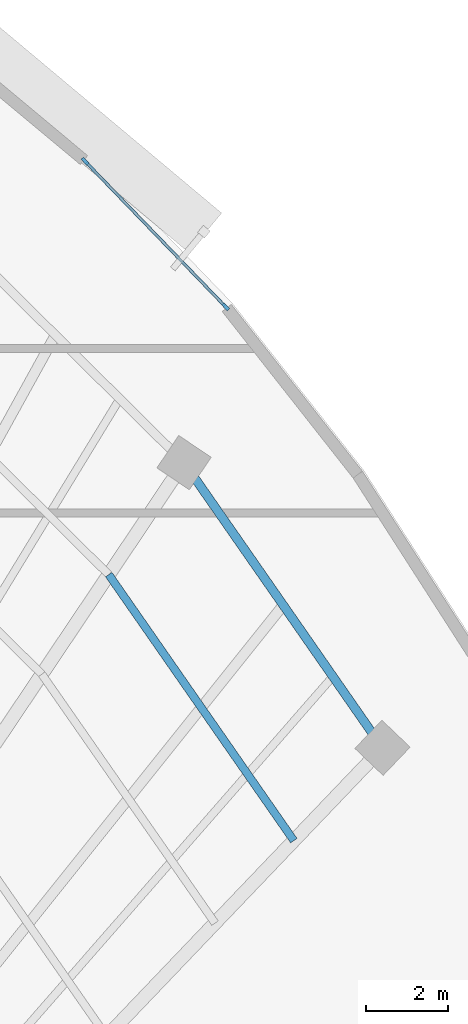
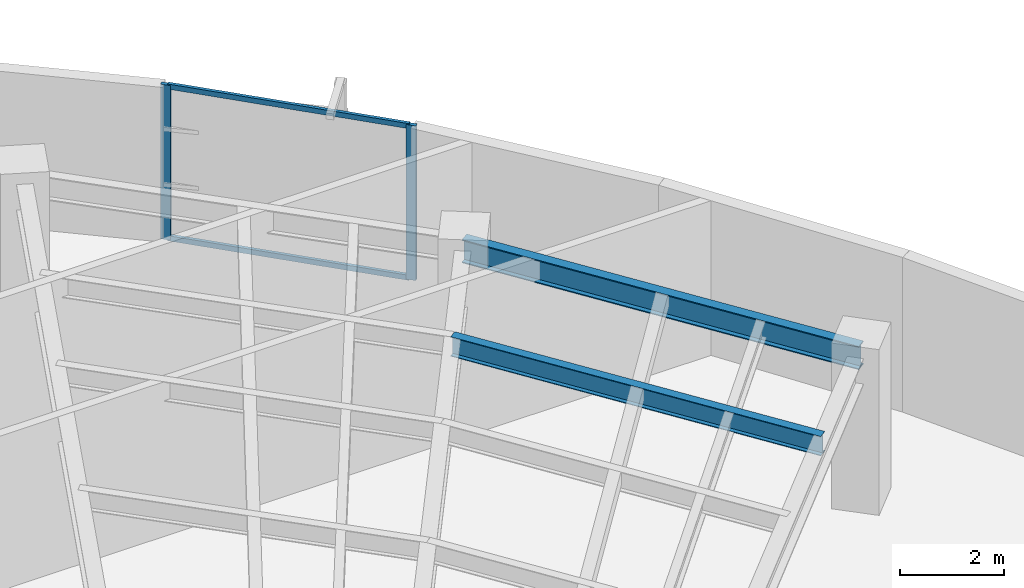
# One storey, part 6 of 14: 4 members, 2 beams, 1 element without a shape of its own.
"""IFC4 building model written with IfcOpenShell, lengths in metres."""

from ifc_helpers import new_model, si_unit, direction, frame, origin, origin_2d, place, context, subcontext, project, spatial, rectangle, i_section, extrude, source, transform, mapped, material, layer, layer_set, material_profile, profile_set, type_object, element, aggregate, save


model = new_model("IFC4")

# Units and contexts
model_context = context("Model", 3, precision=1e-05, world=origin(), true_north=direction((0.0, 1.0)))
body_context = subcontext(model_context, "Body", "Model", "MODEL_VIEW")
ifc_project = project(units=[si_unit("LENGTHUNIT", "METRE"), si_unit("AREAUNIT", "SQUARE_METRE"), si_unit("VOLUMEUNIT", "CUBIC_METRE"), si_unit("PLANEANGLEUNIT", "RADIAN"), si_unit("MASSUNIT", "GRAM", prefix="KILO")], contexts=[model_context])

# Site, building, storey
site_placement = place(None, origin())
site = spatial("IfcSite", under=ifc_project, at=site_placement, CompositionType="ELEMENT")
building_placement = place(site_placement, origin())
building = spatial("IfcBuilding", under=site, at=building_placement, Name="Breltana Convention Tower", CompositionType="ELEMENT")
storey_placement = place(building_placement, frame((0.0, 0.0, 219.60009765625)))
storey = spatial("IfcBuildingStorey", under=building, at=storey_placement, Name="L53", CompositionType="ELEMENT", Elevation=219.60009765625)

# Beams
ifc_material_1 = material(Name="Steel ASTM A992 Grade 50", Category="steel")
ifc_material_profile_1 = material_profile(ifc_material_1, i_section(OverallWidth=0.19091796875, OverallDepth=0.4599609375, WebThickness=0.010009765625, FlangeThickness=0.01611328125, at=origin_2d()), Name="W18X55")
ifc_profile_set_1 = profile_set([ifc_material_profile_1], Name="Steel ASTM A992 Grade 50")
beam_type_1 = type_object("IfcBeamType", Name="BM-JSG-07", PredefinedType="JOIST", material=ifc_profile_set_1)
shared_shape_1 = source(origin(), body_context, "Body", "SweptSolid", [
    extrude(i_section(OverallWidth=0.19091796875, OverallDepth=0.4599609375, WebThickness=0.010009765625, FlangeThickness=0.01611328125, at=origin_2d()), origin(), (0.0, 0.0, 1.0), 7.88037109375),
])
beam_1_placement = place(storey_placement, frame((73.3359375, 59.70556640625, 3.409912109375), z_axis=(0.571197916304, -0.820812366141, 0.0), x_axis=(0.820812366141, 0.571197916304, 0.0)))
element("IfcBeam", 1, at=beam_1_placement, inside=storey, type_object=beam_type_1, Name="L53 Composite Floor Joist 10.4", PredefinedType="JOIST", context=body_context, shape_type="MappedRepresentation", body=[
    mapped(shared_shape_1, transform((0.0, 0.0, 0.0), scale=1.0)),
])
ifc_material_profile_2 = material_profile(ifc_material_1, i_section(OverallWidth=0.214111328125, OverallDepth=0.549072265625, WebThickness=0.0146484375, FlangeThickness=0.023681640625, at=origin_2d()), Name="W21X93")
ifc_profile_set_2 = profile_set([ifc_material_profile_2], Name="Steel ASTM A992 Grade 50")
beam_type_2 = type_object("IfcBeamType", Name="BM-SP-W21X93", PredefinedType="SPANDREL", material=ifc_profile_set_2)
shared_shape_2 = source(origin(), body_context, "Body", "SweptSolid", [
    extrude(i_section(OverallWidth=0.214111328125, OverallDepth=0.549072265625, WebThickness=0.0146484375, FlangeThickness=0.023681640625, at=origin_2d()), origin(), (0.0, 0.0, 1.0), 8.44970703125),
])
beam_2_placement = place(storey_placement, frame((75.166748046875, 62.43017578125, 3.365478515625), z_axis=(0.5711855381, -0.820820979913, 0.0), x_axis=(0.820820979913, 0.5711855381, 0.0)))
element("IfcBeam", 2, at=beam_2_placement, inside=storey, type_object=beam_type_2, Name="L53 Outer Spandrel Beam 10", PredefinedType="SPANDREL", context=body_context, shape_type="MappedRepresentation", body=[
    mapped(shared_shape_2, transform((0.0, 0.0, 0.0), scale=1.0)),
])

# Curtain wall, members
ifc_material_2 = material(Name="Aluminium Anodised Bronze Frame", Category="aluminium")
ifc_layer = layer(ifc_material_2, 0.219970703125, Name="Aluminium Anodised Bronze Frame")
ifc_layer_set = layer_set([ifc_layer], Name="Aluminium Anodised Bronze Frame")
curtain_wall_type = type_object("IfcCurtainWallType", Name="CW-SYS-4", PredefinedType="NOTDEFINED", material=ifc_layer_set)
curtain_wall_placement = place(storey_placement, origin())
curtain_wall = element("IfcCurtainWall", 3, at=curtain_wall_placement, inside=storey, type_object=curtain_wall_type, Name="L53 outer double-skin inner glazing 4", PredefinedType="NOTDEFINED")
ifc_material_3 = material(Name="Aluminium Anodised Bronze", Category="aluminium")
ifc_material_profile_3 = material_profile(ifc_material_3, rectangle(XDim=0.080078125, YDim=0.199951171875, at=origin_2d()), Name="CWM-80X200")
ifc_profile_set_3 = profile_set([ifc_material_profile_3], Name="Aluminium Anodised Bronze")
member_type_1 = type_object("IfcMemberType", Name="CWM-200", PredefinedType="MULLION", material=ifc_profile_set_3)
shared_shape_3 = source(origin(), body_context, "Body", "SweptSolid", [
    extrude(rectangle(XDim=0.080078125, YDim=0.199951171875, at=origin_2d()), origin(), (0.0, 0.0, 1.0), 3.639892578125),
])
member_1_placement = place(storey_placement, frame((72.759765625, 69.759033203125, 0.0), z_axis=(0.0, 0.0, 1.0), x_axis=(0.719396292115, 0.694599866751, 0.0)))
member_1 = element("IfcMember", 4, at=member_1_placement, type_object=member_type_1, Name="CW-04 mullion 1", PredefinedType="MULLION", context=body_context, shape_type="MappedRepresentation", body=[
    mapped(shared_shape_3, transform((0.0, 0.0, 0.0), scale=1.0)),
])
member_2_placement = place(storey_placement, frame((76.177734375, 66.218994140625, 0.0), z_axis=(0.0, 0.0, 1.0), x_axis=(0.719396292115, 0.694599866751, 0.0)))
member_2 = element("IfcMember", 5, at=member_2_placement, type_object=member_type_1, Name="CW-04 mullion 2", PredefinedType="MULLION", context=body_context, shape_type="MappedRepresentation", body=[
    mapped(shared_shape_3, transform((0.0, 0.0, 0.0), scale=1.0)),
])
ifc_material_profile_4 = material_profile(ifc_material_3, rectangle(XDim=0.070068359375, YDim=0.1201171875, at=origin_2d()), Name="CWT-70X120")
ifc_profile_set_4 = profile_set([ifc_material_profile_4], Name="Aluminium Anodised Bronze")
member_type_2 = type_object("IfcMemberType", Name="CWT-120", PredefinedType="USERDEFINED", material=ifc_profile_set_4)
shared_shape_4 = source(origin(), body_context, "Body", "SweptSolid", [
    extrude(rectangle(XDim=0.070068359375, YDim=0.1201171875, at=origin_2d()), origin(), (0.0, 0.0, 1.0), 4.8408203125),
])
member_3_placement = place(storey_placement, frame((72.787353515625, 69.730224609375, 0.034912109375), z_axis=(0.694617014344, -0.719379735178, 0.0), x_axis=(0.719379735178, 0.694617014344, 0.0)))
member_3 = element("IfcMember", 6, at=member_3_placement, type_object=member_type_2, Name="CW-04 transom 1.1", ObjectType="TRANSOM", PredefinedType="USERDEFINED", context=body_context, shape_type="MappedRepresentation", body=[
    mapped(shared_shape_4, transform((0.0, 0.0, 0.0), scale=1.0)),
])
member_4_placement = place(storey_placement, frame((72.787353515625, 69.730224609375, 3.60498046875), z_axis=(0.694617014344, -0.719379735178, 0.0), x_axis=(0.719379735178, 0.694617014344, 0.0)))
member_4 = element("IfcMember", 7, at=member_4_placement, type_object=member_type_2, Name="CW-04 transom 1.2", ObjectType="TRANSOM", PredefinedType="USERDEFINED", context=body_context, shape_type="MappedRepresentation", body=[
    mapped(shared_shape_4, transform((0.0, 0.0, 0.0), scale=1.0)),
])
aggregate(curtain_wall, [member_1, member_2, member_3, member_4])

save(model, "model.ifc")
